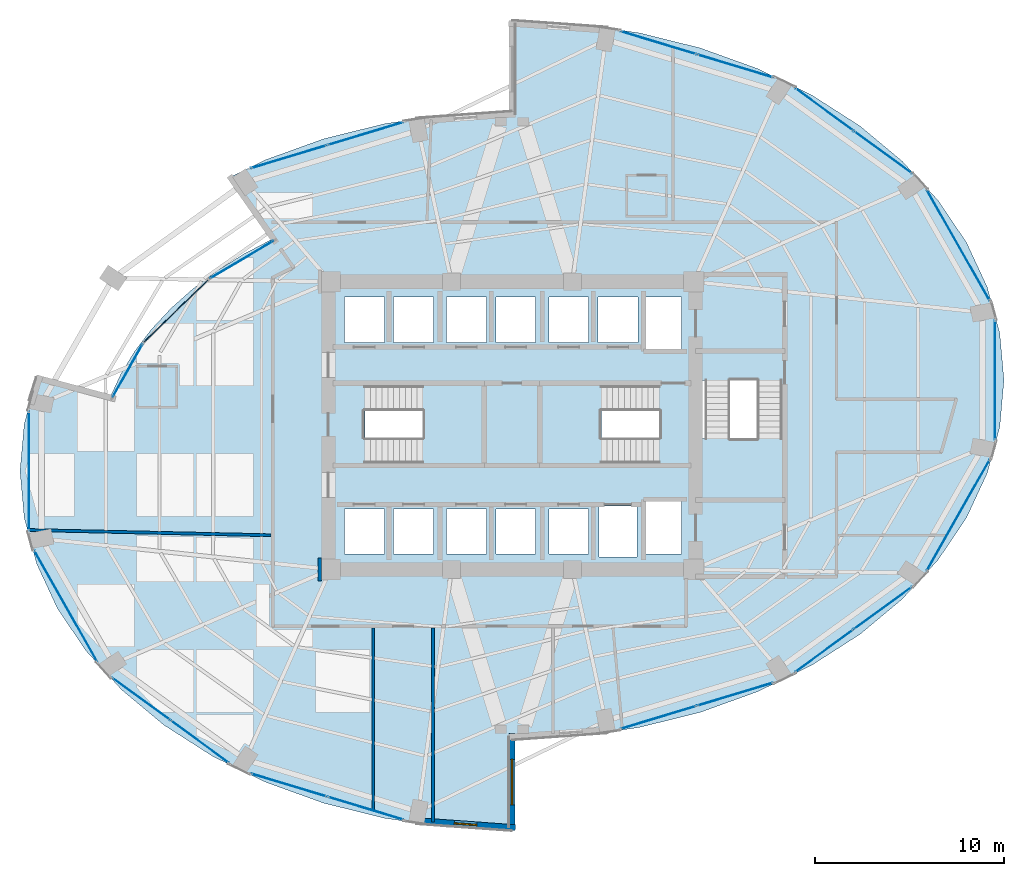
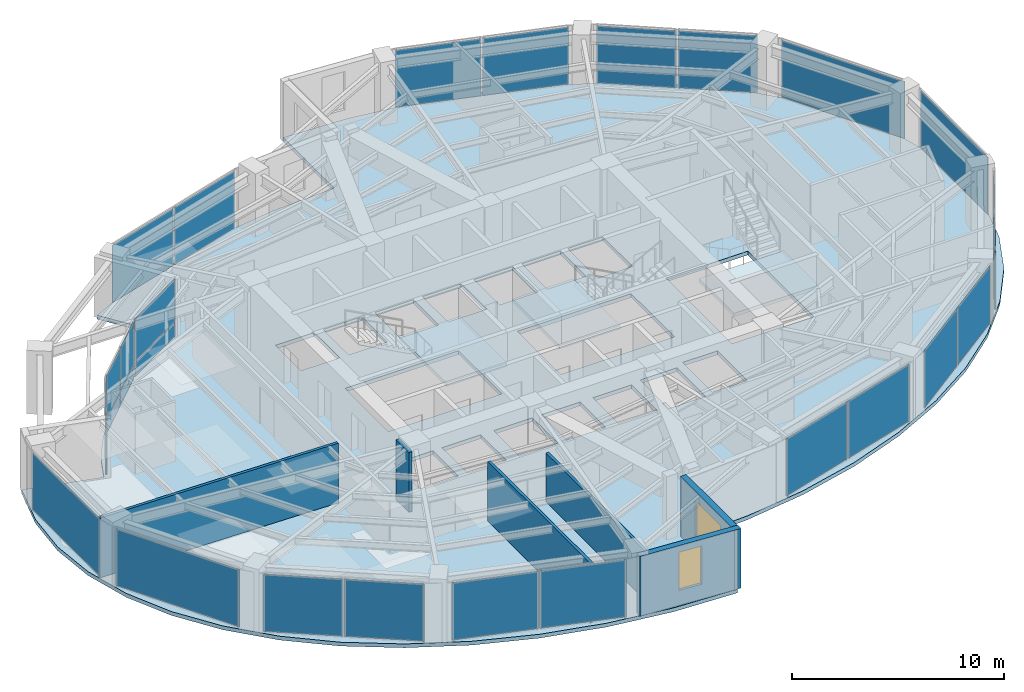
# One storey, part 19 of 24: 27 plates, 6 walls, 4 slabs, 2 windows, 2 openings, 18 elements without a shape of their own.
"""IFC4 building model written with IfcOpenShell, lengths in metres."""

from ifc_helpers import new_model, si_unit, direction, frame, frame_2d, origin, origin_2d, place, context, subcontext, project, spatial, polyline, rectangle, outline, extrude, material, layer, layer_set, type_object, element, fill, aggregate, save


model = new_model("IFC4")

# Units and contexts
model_context = context("Model", 3, precision=1e-05, world=origin(), true_north=direction((0.0, 1.0)))
body_context = subcontext(model_context, "Body", "Model", "MODEL_VIEW")
ifc_project = project(units=[si_unit("LENGTHUNIT", "METRE"), si_unit("AREAUNIT", "SQUARE_METRE"), si_unit("VOLUMEUNIT", "CUBIC_METRE"), si_unit("PLANEANGLEUNIT", "RADIAN"), si_unit("MASSUNIT", "GRAM", prefix="KILO")], contexts=[model_context])

# Site, building, storey
site_placement = place(None, origin())
site = spatial("IfcSite", under=ifc_project, at=site_placement, CompositionType="ELEMENT")
building_placement = place(site_placement, origin())
building = spatial("IfcBuilding", under=site, at=building_placement, Name="Lazwardi Medical Tower", CompositionType="ELEMENT")
storey_placement = place(building_placement, frame((0.0, 0.0, 118.22412109375)))
storey = spatial("IfcBuildingStorey", under=building, at=storey_placement, Name="L30", CompositionType="ELEMENT", Elevation=118.22412109375)

# Curtain wall, plates
ifc_material_1 = material(Name="Anodised bronze aluminium and solar control glazing", Category="aluminium")
ifc_layer_1 = layer(ifc_material_1, 0.195068359375)
ifc_layer_set_1 = layer_set([ifc_layer_1], Name="Anodised bronze aluminium and solar control glazing")
curtain_wall_type_1 = type_object("IfcCurtainWallType", Name="CW-SYS-03", PredefinedType="NOTDEFINED", material=ifc_layer_set_1)
curtain_wall_1_placement = place(storey_placement, origin())
curtain_wall_1 = element("IfcCurtainWall", 1, at=curtain_wall_1_placement, inside=storey, type_object=curtain_wall_type_1, Name="L30 Unitised bronze curtain wall CW-03", PredefinedType="NOTDEFINED")
ifc_material_2 = material(Name="Low-e bronze solar control double glazing", Category="glass")
ifc_layer_2 = layer(ifc_material_2, 0.035888671875)
ifc_layer_set_2 = layer_set([ifc_layer_2], Name="Low-e bronze solar control double glazing")
plate_type_1 = type_object("IfcPlateType", Name="PLT-GLZ-01", PredefinedType="CURTAIN_PANEL", material=ifc_layer_set_2)
plate_1_placement = place(storey_placement, frame((43.73974609375, 12.573486328125, 0.07470703125), z_axis=(0.0, 0.0, 1.0), x_axis=(0.957216170558, 0.28937381157, 0.0)))
plate_1 = element("IfcPlate", 2, at=plate_1_placement, type_object=plate_type_1, Name="CW-03 panel 1.1", PredefinedType="CURTAIN_PANEL", context=body_context, shape_type="SweptSolid", body=[
    extrude(rectangle(XDim=4.16552734375, YDim=0.035888671875, at=origin_2d()), origin(), (0.0, 0.0, 1.0), 3.278076171875),
])
plate_2_placement = place(storey_placement, frame((47.798828125, 13.800537109375, 0.07470703125), z_axis=(0.0, 0.0, 1.0), x_axis=(0.957216170558, 0.28937381157, 0.0)))
plate_2 = element("IfcPlate", 3, at=plate_2_placement, type_object=plate_type_1, Name="CW-03 panel 2.1", PredefinedType="CURTAIN_PANEL", context=body_context, shape_type="SweptSolid", body=[
    extrude(rectangle(XDim=4.16552734375, YDim=0.035888671875, at=origin_2d()), origin(), (0.0, 0.0, 1.0), 3.278076171875),
])
aggregate(curtain_wall_1, [plate_1, plate_2])

curtain_wall_2_placement = place(storey_placement, origin())
curtain_wall_2 = element("IfcCurtainWall", 4, at=curtain_wall_2_placement, inside=storey, type_object=curtain_wall_type_1, Name="L30 Unitised bronze curtain wall CW-03", PredefinedType="NOTDEFINED")
plate_3_placement = place(storey_placement, frame((52.4990234375, 16.093017578125, 0.07470703125), z_axis=(0.0, 0.0, 1.0), x_axis=(0.807745837639, 0.589530882802, 0.0)))
plate_3 = element("IfcPlate", 5, at=plate_3_placement, type_object=plate_type_1, Name="CW-03 panel 1.1", PredefinedType="CURTAIN_PANEL", context=body_context, shape_type="SweptSolid", body=[
    extrude(rectangle(XDim=3.767578125, YDim=0.035888671875, at=origin_2d()), origin(), (0.0, 0.0, 1.0), 3.278076171875),
])
plate_4_placement = place(storey_placement, frame((55.60302734375, 18.3583984375, 0.07470703125), z_axis=(0.0, 0.0, 1.0), x_axis=(0.807745837639, 0.589530882802, 0.0)))
plate_4 = element("IfcPlate", 6, at=plate_4_placement, type_object=plate_type_1, Name="CW-03 panel 2.1", PredefinedType="CURTAIN_PANEL", context=body_context, shape_type="SweptSolid", body=[
    extrude(rectangle(XDim=3.767578125, YDim=0.035888671875, at=origin_2d()), origin(), (0.0, 0.0, 1.0), 3.278076171875),
])
aggregate(curtain_wall_2, [plate_3, plate_4])

# Curtain wall, plate
curtain_wall_3_placement = place(storey_placement, origin())
curtain_wall_3 = element("IfcCurtainWall", 7, at=curtain_wall_3_placement, inside=storey, type_object=curtain_wall_type_1, Name="L30 Unitised bronze curtain wall CW-03", PredefinedType="NOTDEFINED")
plate_5_placement = place(storey_placement, frame((59.5849609375, 23.270263671875, 0.07470703125), z_axis=(0.0, 0.0, 1.0), x_axis=(0.493603140041, 0.869687265712, 0.0)))
plate_5 = element("IfcPlate", 8, at=plate_5_placement, type_object=plate_type_1, Name="CW-03 panel 1.1", PredefinedType="CURTAIN_PANEL", context=body_context, shape_type="SweptSolid", body=[
    extrude(rectangle(XDim=6.722900390625, YDim=0.035888671875, at=origin_2d()), origin(), (0.0, 0.0, 1.0), 3.278076171875),
])
aggregate(curtain_wall_3, [plate_5])

curtain_wall_4_placement = place(storey_placement, origin())
curtain_wall_4 = element("IfcCurtainWall", 9, at=curtain_wall_4_placement, inside=storey, type_object=curtain_wall_type_1, Name="L30 Unitised bronze curtain wall CW-03", PredefinedType="NOTDEFINED")
plate_6_placement = place(storey_placement, frame((61.528076171875, 30.39990234375, 0.07470703125), z_axis=(0.0, 0.0, 1.0), x_axis=(0.0, 1.0, 0.0)))
plate_6 = element("IfcPlate", 10, at=plate_6_placement, type_object=plate_type_1, Name="CW-03 panel 1.1", PredefinedType="CURTAIN_PANEL", context=body_context, shape_type="SweptSolid", body=[
    extrude(rectangle(XDim=6.31982421875, YDim=0.035888671875, at=origin_2d()), origin(), (0.0, 0.0, 1.0), 3.278076171875),
])
aggregate(curtain_wall_4, [plate_6])

curtain_wall_5_placement = place(storey_placement, origin())
curtain_wall_5 = element("IfcCurtainWall", 11, at=curtain_wall_5_placement, inside=storey, type_object=curtain_wall_type_1, Name="L30 Unitised bronze curtain wall CW-03", PredefinedType="NOTDEFINED")
plate_7_placement = place(storey_placement, frame((59.5849609375, 37.52978515625, 0.07470703125), z_axis=(0.0, 0.0, 1.0), x_axis=(-0.493603140041, 0.869687265712, 0.0)))
plate_7 = element("IfcPlate", 12, at=plate_7_placement, type_object=plate_type_1, Name="CW-03 panel 1.1", PredefinedType="CURTAIN_PANEL", context=body_context, shape_type="SweptSolid", body=[
    extrude(rectangle(XDim=6.722900390625, YDim=0.035888671875, at=origin_2d()), origin(), (0.0, 0.0, 1.0), 3.278076171875),
])
aggregate(curtain_wall_5, [plate_7])

# Curtain wall, plates
curtain_wall_6_placement = place(storey_placement, origin())
curtain_wall_6 = element("IfcCurtainWall", 13, at=curtain_wall_6_placement, inside=storey, type_object=curtain_wall_type_1, Name="L30 Unitised bronze curtain wall CW-03", PredefinedType="NOTDEFINED")
plate_8_placement = place(storey_placement, frame((55.60302734375, 42.441650390625, 0.07470703125), z_axis=(0.0, 0.0, 1.0), x_axis=(-0.807745837639, 0.589530882802, 0.0)))
plate_8 = element("IfcPlate", 14, at=plate_8_placement, type_object=plate_type_1, Name="CW-03 panel 1.1", PredefinedType="CURTAIN_PANEL", context=body_context, shape_type="SweptSolid", body=[
    extrude(rectangle(XDim=3.767578125, YDim=0.035888671875, at=origin_2d()), origin(), (0.0, 0.0, 1.0), 3.278076171875),
])
plate_9_placement = place(storey_placement, frame((52.4990234375, 44.70703125, 0.07470703125), z_axis=(0.0, 0.0, 1.0), x_axis=(-0.807745837639, 0.589530882802, 0.0)))
plate_9 = element("IfcPlate", 15, at=plate_9_placement, type_object=plate_type_1, Name="CW-03 panel 2.1", PredefinedType="CURTAIN_PANEL", context=body_context, shape_type="SweptSolid", body=[
    extrude(rectangle(XDim=3.767578125, YDim=0.035888671875, at=origin_2d()), origin(), (0.0, 0.0, 1.0), 3.278076171875),
])
aggregate(curtain_wall_6, [plate_8, plate_9])

curtain_wall_7_placement = place(storey_placement, origin())
curtain_wall_7 = element("IfcCurtainWall", 16, at=curtain_wall_7_placement, inside=storey, type_object=curtain_wall_type_1, Name="L30 Unitised bronze curtain wall CW-03", PredefinedType="NOTDEFINED")
plate_10_placement = place(storey_placement, frame((47.798828125, 46.99951171875, 0.07470703125), z_axis=(0.0, 0.0, 1.0), x_axis=(-0.957216170558, 0.28937381157, 0.0)))
plate_10 = element("IfcPlate", 17, at=plate_10_placement, type_object=plate_type_1, Name="CW-03 panel 1.1", PredefinedType="CURTAIN_PANEL", context=body_context, shape_type="SweptSolid", body=[
    extrude(rectangle(XDim=4.16552734375, YDim=0.035888671875, at=origin_2d()), origin(), (0.0, 0.0, 1.0), 3.278076171875),
])
plate_11_placement = place(storey_placement, frame((43.73974609375, 48.2265625, 0.07470703125), z_axis=(0.0, 0.0, 1.0), x_axis=(-0.957216170558, 0.28937381157, 0.0)))
plate_11 = element("IfcPlate", 18, at=plate_11_placement, type_object=plate_type_1, Name="CW-03 panel 2.1", PredefinedType="CURTAIN_PANEL", context=body_context, shape_type="SweptSolid", body=[
    extrude(rectangle(XDim=4.16552734375, YDim=0.035888671875, at=origin_2d()), origin(), (0.0, 0.0, 1.0), 3.278076171875),
])
aggregate(curtain_wall_7, [plate_10, plate_11])

curtain_wall_8_placement = place(storey_placement, origin())
curtain_wall_8 = element("IfcCurtainWall", 19, at=curtain_wall_8_placement, inside=storey, type_object=curtain_wall_type_1, Name="L30 Unitised bronze curtain wall CW-03", PredefinedType="NOTDEFINED")
plate_12_placement = place(storey_placement, frame((28.26025390625, 43.426513671875, 0.07470703125), z_axis=(0.0, 0.0, 1.0), x_axis=(-0.957216170558, -0.28937381157, 0.0)))
plate_12 = element("IfcPlate", 20, at=plate_12_placement, type_object=plate_type_1, Name="CW-03 panel 1.1", PredefinedType="CURTAIN_PANEL", context=body_context, shape_type="SweptSolid", body=[
    extrude(rectangle(XDim=4.16552734375, YDim=0.035888671875, at=origin_2d()), origin(), (0.0, 0.0, 1.0), 3.278076171875),
])
plate_13_placement = place(storey_placement, frame((24.201171875, 42.199462890625, 0.07470703125), z_axis=(0.0, 0.0, 1.0), x_axis=(-0.957216170558, -0.28937381157, 0.0)))
plate_13 = element("IfcPlate", 21, at=plate_13_placement, type_object=plate_type_1, Name="CW-03 panel 2.1", PredefinedType="CURTAIN_PANEL", context=body_context, shape_type="SweptSolid", body=[
    extrude(rectangle(XDim=4.16552734375, YDim=0.035888671875, at=origin_2d()), origin(), (0.0, 0.0, 1.0), 3.278076171875),
])
aggregate(curtain_wall_8, [plate_12, plate_13])

# Curtain wall, plate
curtain_wall_9_placement = place(storey_placement, origin())
curtain_wall_9 = element("IfcCurtainWall", 22, at=curtain_wall_9_placement, inside=storey, type_object=curtain_wall_type_1, Name="L30 Unitised bronze curtain wall CW-03", PredefinedType="NOTDEFINED")
plate_14_placement = place(storey_placement, frame((10.471923828125, 25.60009765625, 0.07470703125), z_axis=(0.0, 0.0, 1.0), x_axis=(0.0, -1.0, 0.0)))
plate_14 = element("IfcPlate", 23, at=plate_14_placement, type_object=plate_type_1, Name="CW-03 panel 1.1", PredefinedType="CURTAIN_PANEL", context=body_context, shape_type="SweptSolid", body=[
    extrude(rectangle(XDim=6.31982421875, YDim=0.035888671875, at=origin_2d()), origin(), (0.0, 0.0, 1.0), 3.278076171875),
])
aggregate(curtain_wall_9, [plate_14])

curtain_wall_10_placement = place(storey_placement, origin())
curtain_wall_10 = element("IfcCurtainWall", 24, at=curtain_wall_10_placement, inside=storey, type_object=curtain_wall_type_1, Name="L30 Unitised bronze curtain wall CW-03", PredefinedType="NOTDEFINED")
plate_15_placement = place(storey_placement, frame((12.4150390625, 18.47021484375, 0.07470703125), z_axis=(0.0, 0.0, 1.0), x_axis=(0.493603140041, -0.869687265712, 0.0)))
plate_15 = element("IfcPlate", 25, at=plate_15_placement, type_object=plate_type_1, Name="CW-03 panel 1.1", PredefinedType="CURTAIN_PANEL", context=body_context, shape_type="SweptSolid", body=[
    extrude(rectangle(XDim=6.722900390625, YDim=0.035888671875, at=origin_2d()), origin(), (0.0, 0.0, 1.0), 3.278076171875),
])
aggregate(curtain_wall_10, [plate_15])

# Curtain wall, plates
curtain_wall_11_placement = place(storey_placement, origin())
curtain_wall_11 = element("IfcCurtainWall", 26, at=curtain_wall_11_placement, inside=storey, type_object=curtain_wall_type_1, Name="L30 Unitised bronze curtain wall CW-03", PredefinedType="NOTDEFINED")
plate_16_placement = place(storey_placement, frame((16.39697265625, 13.558349609375, 0.07470703125), z_axis=(0.0, 0.0, 1.0), x_axis=(0.807745837639, -0.589530882802, 0.0)))
plate_16 = element("IfcPlate", 27, at=plate_16_placement, type_object=plate_type_1, Name="CW-03 panel 1.1", PredefinedType="CURTAIN_PANEL", context=body_context, shape_type="SweptSolid", body=[
    extrude(rectangle(XDim=3.767578125, YDim=0.035888671875, at=origin_2d()), origin(), (0.0, 0.0, 1.0), 3.278076171875),
])
plate_17_placement = place(storey_placement, frame((19.5009765625, 11.29296875, 0.07470703125), z_axis=(0.0, 0.0, 1.0), x_axis=(0.807745837639, -0.589530882802, 0.0)))
plate_17 = element("IfcPlate", 28, at=plate_17_placement, type_object=plate_type_1, Name="CW-03 panel 2.1", PredefinedType="CURTAIN_PANEL", context=body_context, shape_type="SweptSolid", body=[
    extrude(rectangle(XDim=3.767578125, YDim=0.035888671875, at=origin_2d()), origin(), (0.0, 0.0, 1.0), 3.278076171875),
])
aggregate(curtain_wall_11, [plate_16, plate_17])

curtain_wall_12_placement = place(storey_placement, origin())
curtain_wall_12 = element("IfcCurtainWall", 29, at=curtain_wall_12_placement, inside=storey, type_object=curtain_wall_type_1, Name="L30 Unitised bronze curtain wall CW-03", PredefinedType="NOTDEFINED")
plate_18_placement = place(storey_placement, frame((24.201171875, 9.00048828125, 0.07470703125), z_axis=(0.0, 0.0, 1.0), x_axis=(0.957216170558, -0.28937381157, 0.0)))
plate_18 = element("IfcPlate", 30, at=plate_18_placement, type_object=plate_type_1, Name="CW-03 panel 1.1", PredefinedType="CURTAIN_PANEL", context=body_context, shape_type="SweptSolid", body=[
    extrude(rectangle(XDim=4.16552734375, YDim=0.035888671875, at=origin_2d()), origin(), (0.0, 0.0, 1.0), 3.278076171875),
])
plate_19_placement = place(storey_placement, frame((28.26025390625, 7.7734375, 0.07470703125), z_axis=(0.0, 0.0, 1.0), x_axis=(0.957216170558, -0.28937381157, 0.0)))
plate_19 = element("IfcPlate", 31, at=plate_19_placement, type_object=plate_type_1, Name="CW-03 panel 2.1", PredefinedType="CURTAIN_PANEL", context=body_context, shape_type="SweptSolid", body=[
    extrude(rectangle(XDim=4.16552734375, YDim=0.035888671875, at=origin_2d()), origin(), (0.0, 0.0, 1.0), 3.278076171875),
])
aggregate(curtain_wall_12, [plate_18, plate_19])

ifc_layer_3 = layer(ifc_material_1, 0.239990234375)
ifc_layer_set_3 = layer_set([ifc_layer_3], Name="Anodised bronze aluminium and solar control glazing")
curtain_wall_type_2 = type_object("IfcCurtainWallType", Name="CW-SYS-05", PredefinedType="NOTDEFINED", material=ifc_layer_set_3)
curtain_wall_13_placement = place(storey_placement, origin())
curtain_wall_13 = element("IfcCurtainWall", 32, at=curtain_wall_13_placement, inside=storey, type_object=curtain_wall_type_2, Name="L30 Unitised bronze curtain wall CW-05", PredefinedType="NOTDEFINED")
ifc_material_3 = material(Name="Laminated acoustic bronze double glazing", Category="glass")
ifc_layer_4 = layer(ifc_material_3, 0.0419921875)
ifc_layer_set_4 = layer_set([ifc_layer_4], Name="Laminated acoustic bronze double glazing")
plate_type_2 = type_object("IfcPlateType", Name="PLT-GLZ-02", PredefinedType="CURTAIN_PANEL", material=ifc_layer_set_4)
plate_20_placement = place(storey_placement, frame((21.72412109375, 36.7685546875, 0.0849609375), z_axis=(0.0, 0.0, 1.0), x_axis=(-0.860814811095, -0.508918324488, 0.0)))
plate_20 = element("IfcPlate", 33, at=plate_20_placement, type_object=plate_type_2, Name="CW-05 panel 1.1", PredefinedType="CURTAIN_PANEL", context=body_context, shape_type="SweptSolid", body=[
    extrude(rectangle(XDim=3.84033203125, YDim=0.0419921875, at=origin_2d()), origin(), (0.0, 0.0, 1.0), 0.7724609375),
])
plate_21_placement = place(storey_placement, frame((21.72412109375, 36.7685546875, 0.9423828125), z_axis=(0.0, 0.0, 1.0), x_axis=(-0.860814811095, -0.508918324488, 0.0)))
plate_21 = element("IfcPlate", 34, at=plate_21_placement, type_object=plate_type_2, Name="CW-05 panel 1.2", PredefinedType="CURTAIN_PANEL", context=body_context, shape_type="SweptSolid", body=[
    extrude(rectangle(XDim=3.84033203125, YDim=0.0419921875, at=origin_2d()), origin(), (0.0, 0.0, 1.0), 2.400390625),
])
aggregate(curtain_wall_13, [plate_20, plate_21])

curtain_wall_14_placement = place(storey_placement, origin())
curtain_wall_14 = element("IfcCurtainWall", 35, at=curtain_wall_14_placement, inside=storey, type_object=curtain_wall_type_2, Name="L30 Unitised bronze curtain wall CW-05", PredefinedType="NOTDEFINED")
plate_22_placement = place(storey_placement, frame((15.68505859375, 30.9033203125, 0.0849609375), z_axis=(0.0, 0.0, 1.0), x_axis=(-0.491556224341, -0.870845840727, 0.0)))
plate_22 = element("IfcPlate", 36, at=plate_22_placement, type_object=plate_type_2, Name="CW-05 panel 1.1", PredefinedType="CURTAIN_PANEL", context=body_context, shape_type="SweptSolid", body=[
    extrude(rectangle(XDim=3.1650390625, YDim=0.0419921875, at=origin_2d()), origin(), (0.0, 0.0, 1.0), 0.7724609375),
])
plate_23_placement = place(storey_placement, frame((15.68505859375, 30.9033203125, 0.9423828125), z_axis=(0.0, 0.0, 1.0), x_axis=(-0.491556224341, -0.870845840727, 0.0)))
plate_23 = element("IfcPlate", 37, at=plate_23_placement, type_object=plate_type_2, Name="CW-05 panel 1.2", PredefinedType="CURTAIN_PANEL", context=body_context, shape_type="SweptSolid", body=[
    extrude(rectangle(XDim=3.1650390625, YDim=0.0419921875, at=origin_2d()), origin(), (0.0, 0.0, 1.0), 2.400390625),
])
aggregate(curtain_wall_14, [plate_22, plate_23])

curtain_wall_15_placement = place(storey_placement, origin())
curtain_wall_15 = element("IfcCurtainWall", 38, at=curtain_wall_15_placement, inside=storey, type_object=curtain_wall_type_2, Name="L30 Unitised bronze curtain wall CW-05", PredefinedType="NOTDEFINED")
plate_24_placement = place(storey_placement, frame((19.109375, 34.885009765625, 0.0849609375), z_axis=(0.0, 0.0, 1.0), x_axis=(-0.717350635147, -0.696712326756, 0.0)))
plate_24 = element("IfcPlate", 39, at=plate_24_placement, type_object=plate_type_2, Name="CW-05 panel 1.1", PredefinedType="CURTAIN_PANEL", context=body_context, shape_type="SweptSolid", body=[
    extrude(rectangle(XDim=2.307373046875, YDim=0.0419921875, at=origin_2d()), origin(), (0.0, 0.0, 1.0), 0.7724609375),
])
plate_25_placement = place(storey_placement, frame((19.109375, 34.885009765625, 0.9423828125), z_axis=(0.0, 0.0, 1.0), x_axis=(-0.717350635147, -0.696712326756, 0.0)))
plate_25 = element("IfcPlate", 40, at=plate_25_placement, type_object=plate_type_2, Name="CW-05 panel 1.2", PredefinedType="CURTAIN_PANEL", context=body_context, shape_type="SweptSolid", body=[
    extrude(rectangle(XDim=2.307373046875, YDim=0.0419921875, at=origin_2d()), origin(), (0.0, 0.0, 1.0), 2.400390625),
])
plate_26_placement = place(storey_placement, frame((17.393310546875, 33.21826171875, 0.0849609375), z_axis=(0.0, 0.0, 1.0), x_axis=(-0.717350635147, -0.696712326756, 0.0)))
plate_26 = element("IfcPlate", 41, at=plate_26_placement, type_object=plate_type_2, Name="CW-05 panel 2.1", PredefinedType="CURTAIN_PANEL", context=body_context, shape_type="SweptSolid", body=[
    extrude(rectangle(XDim=2.307373046875, YDim=0.0419921875, at=origin_2d()), origin(), (0.0, 0.0, 1.0), 0.7724609375),
])
plate_27_placement = place(storey_placement, frame((17.393310546875, 33.21826171875, 0.9423828125), z_axis=(0.0, 0.0, 1.0), x_axis=(-0.717350635147, -0.696712326756, 0.0)))
plate_27 = element("IfcPlate", 42, at=plate_27_placement, type_object=plate_type_2, Name="CW-05 panel 2.2", PredefinedType="CURTAIN_PANEL", context=body_context, shape_type="SweptSolid", body=[
    extrude(rectangle(XDim=2.307373046875, YDim=0.0419921875, at=origin_2d()), origin(), (0.0, 0.0, 1.0), 2.400390625),
])
aggregate(curtain_wall_15, [plate_24, plate_25, plate_26, plate_27])

# Stair, slab
ifc_material_4 = material(Name="Concrete C45/55", Category="concrete")
stair_type = type_object("IfcStairType", Name="STR-WRD", PredefinedType="HALF_TURN_STAIR", material=ifc_material_4)
stair_1_placement = place(storey_placement, origin())
stair_1 = element("IfcStair", 43, at=stair_1_placement, inside=storey, type_object=stair_type, Name="L30 Protected Exit Stair ST1", PredefinedType="HALF_TURN_STAIR")
ifc_layer_5 = layer(ifc_material_4, 0.199951171875)
ifc_layer_set_5 = layer_set([ifc_layer_5], Name="Concrete C45/55")
slab_type_1 = type_object("IfcSlabType", Name="SLB-LND-190", PredefinedType="LANDING", material=ifc_layer_set_5)
slab_1_placement = place(storey_placement, frame((0.0, 0.0, 1.623779296875)))
slab_1 = element("IfcSlab", 44, at=slab_1_placement, type_object=slab_type_1, Name="ST1 landing 1", PredefinedType="LANDING", context=body_context, shape_type="SweptSolid", body=[
    extrude(outline(polyline([(31.27490234375, 25.840087890625), (34.580078125, 25.840087890625), (34.580078125, 30.280029296875), (31.27490234375, 30.280029296875), (31.27490234375, 25.840087890625)])), origin(), (0.0, 0.0, 1.0), 0.2001953125),
])
aggregate(stair_1, [slab_1])

stair_2_placement = place(storey_placement, origin())
stair_2 = element("IfcStair", 45, at=stair_2_placement, inside=storey, type_object=stair_type, Name="L30 Protected Exit Stair ST2", PredefinedType="HALF_TURN_STAIR")
slab_2_placement = place(storey_placement, frame((0.0, 0.0, 1.623779296875)))
slab_2 = element("IfcSlab", 46, at=slab_2_placement, type_object=slab_type_1, Name="ST2 landing 1", PredefinedType="LANDING", context=body_context, shape_type="SweptSolid", body=[
    extrude(outline(polyline([(40.72509765625, 30.280029296875), (37.419921875, 30.280029296875), (37.419921875, 25.840087890625), (40.72509765625, 25.840087890625), (40.72509765625, 30.280029296875)])), origin(), (0.0, 0.0, 1.0), 0.2001953125),
])
aggregate(stair_2, [slab_2])

stair_3_placement = place(storey_placement, origin())
stair_3 = element("IfcStair", 47, at=stair_3_placement, inside=storey, type_object=stair_type, Name="L30 Protected Exit Stair ST3", PredefinedType="HALF_TURN_STAIR")
slab_3_placement = place(storey_placement, frame((0.0, 0.0, 1.623779296875)))
slab_3 = element("IfcSlab", 48, at=slab_3_placement, type_object=slab_type_1, Name="ST3 landing 1", PredefinedType="LANDING", context=body_context, shape_type="SweptSolid", body=[
    extrude(outline(polyline([(45.860107421875, 27.324951171875), (45.860107421875, 24.02001953125), (50.4599609375, 24.02001953125), (50.4599609375, 27.324951171875), (45.860107421875, 27.324951171875)])), origin(), (0.0, 0.0, 1.0), 0.2001953125),
])
aggregate(stair_3, [slab_3])

# Slab
ifc_material_5 = material(Name="Concrete C50/60", Category="concrete")
ifc_layer_6 = layer(ifc_material_5, 0.219970703125)
ifc_layer_set_6 = layer_set([ifc_layer_6], Name="Concrete C50/60")
slab_type_2 = type_object("IfcSlabType", Name="SLB-WRD-220", PredefinedType="FLOOR", material=ifc_layer_set_6)
slab_4_placement = place(storey_placement, frame((0.0, 0.0, -0.22021484375)))
element("IfcSlab", 49, at=slab_4_placement, inside=storey, type_object=slab_type_2, Name="Structural floor slab SF-03 L30", PredefinedType="FLOOR", context=body_context, shape_type="SweptSolid", body=[
    extrude(outline(polyline([(61.777587890625, 32.8798828125), (61.114013671875, 35.317626953125), (60.02099609375, 37.6708984375), (58.5166015625, 39.89990234375), (56.627197265625, 41.966552734375), (54.384765625, 43.8349609375), (51.827880859375, 45.4736328125), (49.0, 46.8544921875), (45.94970703125, 47.95361328125), (42.729248046875, 48.752685546875), (39.393798828125, 49.237548828125), (36.0, 49.39990234375), (36.0, 44.60009765625), (32.606201171875, 44.4375), (29.270751953125, 43.95263671875), (26.05029296875, 43.15380859375), (23.0, 42.054443359375), (21.1142578125, 41.1337890625), (23.385498046875, 37.89013671875), (23.3857421875, 37.8896484375), (23.385986328125, 37.889404296875), (23.385986328125, 37.888916015625), (23.38623046875, 37.88818359375), (23.38623046875, 37.887939453125), (23.38623046875, 37.887451171875), (23.38623046875, 37.886962890625), (23.38623046875, 37.886474609375), (23.385986328125, 37.885986328125), (23.385986328125, 37.885498046875), (23.3857421875, 37.885009765625), (23.385498046875, 37.884521484375), (23.38525390625, 37.884033203125), (23.384765625, 37.8837890625), (23.384521484375, 37.88330078125), (23.384033203125, 37.883056640625), (23.383544921875, 37.8828125), (21.861083984375, 37.08642578125), (20.446533203125, 36.202392578125), (19.150146484375, 35.23779296875), (17.982177734375, 34.199951171875), (16.951171875, 33.0966796875), (16.065185546875, 31.9365234375), (15.331298828125, 30.727783203125), (14.754150390625, 29.480224609375), (14.75390625, 29.479736328125), (14.753662109375, 29.479248046875), (14.75341796875, 29.47900390625), (14.7529296875, 29.478515625), (14.752685546875, 29.478271484375), (14.752197265625, 29.47802734375), (14.751708984375, 29.477783203125), (14.751220703125, 29.4775390625), (14.750732421875, 29.477294921875), (14.750244140625, 29.477294921875), (14.749755859375, 29.477294921875), (14.749267578125, 29.477294921875), (14.748779296875, 29.477294921875), (14.748291015625, 29.4775390625), (10.884521484375, 30.5126953125), (10.884521484375, 30.5126953125), (10.222412109375, 28.080078125), (10.0, 25.60009765625), (10.222412109375, 23.1201171875), (10.885986328125, 20.682373046875), (11.97900390625, 18.3291015625), (13.4833984375, 16.10009765625), (15.372802734375, 14.033447265625), (17.615234375, 12.1650390625), (20.172119140625, 10.5263671875), (23.0, 9.1455078125), (26.05029296875, 8.04638671875), (29.270751953125, 7.247314453125), (32.606201171875, 6.762451171875), (36.0, 6.60009765625), (36.0, 11.39990234375), (39.393798828125, 11.5625), (42.729248046875, 12.04736328125), (45.94970703125, 12.84619140625), (49.0, 13.945556640625), (51.827880859375, 15.326416015625), (54.384765625, 16.965087890625), (56.627197265625, 18.83349609375), (58.5166015625, 20.89990234375), (60.02099609375, 23.12890625), (61.114013671875, 25.482421875), (61.777587890625, 27.919921875), (62.0, 30.39990234375), (61.777587890625, 32.8798828125)]), holes=[polyline([(28.22509765625, 26.02001953125), (28.22509765625, 30.10009765625), (34.39990234375, 30.10009765625), (34.39990234375, 26.02001953125), (28.22509765625, 26.02001953125)]), polyline([(37.60009765625, 30.10009765625), (43.77490234375, 30.10009765625), (43.77490234375, 26.02001953125), (37.60009765625, 26.02001953125), (37.60009765625, 30.10009765625)]), polyline([(50.280029296875, 30.375), (50.280029296875, 24.179931640625), (45.840087890625, 24.179931640625), (45.840087890625, 30.375), (50.280029296875, 30.375)]), polyline([(29.25, 32.39990234375), (27.14990234375, 32.39990234375), (27.14990234375, 34.800048828125), (29.25, 34.800048828125), (29.25, 32.39990234375)]), polyline([(29.75, 32.39990234375), (29.75, 34.800048828125), (31.85009765625, 34.800048828125), (31.85009765625, 32.39990234375), (29.75, 32.39990234375)]), polyline([(27.14990234375, 23.60009765625), (29.25, 23.60009765625), (29.25, 21.199951171875), (27.14990234375, 21.199951171875), (27.14990234375, 23.60009765625)]), polyline([(31.85009765625, 23.60009765625), (31.85009765625, 21.199951171875), (29.75, 21.199951171875), (29.75, 23.60009765625), (31.85009765625, 23.60009765625)]), polyline([(34.64990234375, 32.39990234375), (32.550048828125, 32.39990234375), (32.550048828125, 34.800048828125), (34.64990234375, 34.800048828125), (34.64990234375, 32.39990234375)]), polyline([(35.14990234375, 32.39990234375), (35.14990234375, 34.800048828125), (37.25, 34.800048828125), (37.25, 32.39990234375), (35.14990234375, 32.39990234375)]), polyline([(32.550048828125, 23.60009765625), (34.64990234375, 23.60009765625), (34.64990234375, 21.199951171875), (32.550048828125, 21.199951171875), (32.550048828125, 23.60009765625)]), polyline([(37.25, 23.60009765625), (37.25, 21.199951171875), (35.14990234375, 21.199951171875), (35.14990234375, 23.60009765625), (37.25, 23.60009765625)]), polyline([(40.050048828125, 32.39990234375), (37.949951171875, 32.39990234375), (37.949951171875, 34.800048828125), (40.050048828125, 34.800048828125), (40.050048828125, 32.39990234375)]), polyline([(40.550048828125, 32.39990234375), (40.550048828125, 34.800048828125), (42.64990234375, 34.800048828125), (42.64990234375, 32.39990234375), (40.550048828125, 32.39990234375)]), polyline([(37.949951171875, 23.60009765625), (40.050048828125, 23.60009765625), (40.050048828125, 21.199951171875), (37.949951171875, 21.199951171875), (37.949951171875, 23.60009765625)]), polyline([(44.949951171875, 34.800048828125), (44.949951171875, 32.0), (43.050048828125, 32.0), (43.050048828125, 34.800048828125), (44.949951171875, 34.800048828125)]), polyline([(44.949951171875, 21.199951171875), (43.050048828125, 21.199951171875), (43.050048828125, 24.0), (44.949951171875, 24.0), (44.949951171875, 21.199951171875)]), polyline([(40.60009765625, 21.050048828125), (40.60009765625, 23.75), (42.60009765625, 23.75), (42.60009765625, 21.050048828125), (40.60009765625, 21.050048828125)])]), origin(), (0.0, 0.0, 1.0), 0.22021484375),
])

# Wall
ifc_material_6 = material(Name="Fire-rated gypsum board on steel stud", Category="steel")
ifc_layer_7 = layer(ifc_material_6, 0.179931640625)
ifc_layer_set_7 = layer_set([ifc_layer_7], Name="Fire-rated gypsum board on steel stud")
wall_type_1 = type_object("IfcWallType", Name="WL-COR-180", PredefinedType="PARTITIONING", material=ifc_layer_set_7)
wall_1_placement = place(storey_placement, frame((25.830078125, 21.010009765625, 0.0), z_axis=(0.0, 0.0, 1.0), x_axis=(0.0, -1.0, 0.0)))
element("IfcWall", 50, at=wall_1_placement, inside=storey, type_object=wall_type_1, Name="L30 Corridor partition 12", PredefinedType="PARTITIONING", context=body_context, shape_type="SweptSolid", body=[
    extrude(rectangle(XDim=1.219970703125, YDim=0.179931640625, at=frame_2d((0.60986328125, 0.0))), origin(), (0.0, 0.0, 1.0), 3.427978515625),
])

# Wall, opening, window
ifc_material_7 = material(Name="Precast concrete C45/55", Category="concrete")
ifc_layer_8 = layer(ifc_material_7, 0.320068359375)
ifc_layer_set_8 = layer_set([ifc_layer_8], Name="Precast concrete C45/55")
wall_type_2 = type_object("IfcWallType", Name="WL-IWAN-320", PredefinedType="SOLIDWALL", material=ifc_layer_set_8)
wall_2_placement = place(storey_placement, frame((30.908935546875, 7.12548828125, 0.0), z_axis=(0.0, 0.0, 1.0), x_axis=(0.997431890304, -0.071621394884, 0.0)))
wall_2 = element("IfcWall", 51, at=wall_2_placement, inside=storey, type_object=wall_type_2, Name="L30 Iwan Portal Return Wall SW_ret", PredefinedType="SOLIDWALL", context=body_context, shape_type="SweptSolid", body=[
    extrude(rectangle(XDim=5.28369140625, YDim=0.320068359375, at=frame_2d((2.641845703125, 0.0))), origin(), (0.0, 0.0, 1.0), 3.427978515625),
])
opening_1_placement = place(wall_2_placement, frame((2.041748046875, 0.0, 0.85009765625)))
opening_1 = element("IfcOpeningElement", 52, at=opening_1_placement, cuts=wall_2, Name="Opening WN-01", PredefinedType="OPENING", context=body_context, shape_type="SweptSolid", body=[
    extrude(rectangle(XDim=1.199951171875, YDim=2.199951171875, at=frame_2d((0.60009765625, 1.10009765625))), frame((0.0, 0.169921875, 0.0), z_axis=(0.0, -1.0, 0.0), x_axis=(1.0, 0.0, 0.0)), (0.0, 0.0, 1.0), 0.340087890625),
])
window_type_1 = type_object("IfcWindowType", Name="WIN-IW-1200", PartitioningType="SINGLE_PANEL", PredefinedType="WINDOW", material=ifc_material_2)
window_1_placement = place(opening_1_placement, origin())
window_1 = element("IfcWindow", 53, at=window_1_placement, inside=storey, type_object=window_type_1, Name="L30 Iwan Slot Window SW_ret", OverallHeight=2.199951171875, OverallWidth=1.199951171875, PartitioningType="SINGLE_PANEL", PredefinedType="WINDOW", context=body_context, shape_type="SweptSolid", body=[
    extrude(rectangle(XDim=1.199951171875, YDim=2.199951171875, at=frame_2d((0.60009765625, 1.10009765625))), frame((0.0, 0.030029296875, 0.0), z_axis=(0.0, -1.0, 0.0), x_axis=(1.0, 0.0, 0.0)), (0.0, 0.0, 1.0), 0.06005859375),
])
fill(opening_1, window_1)

wall_3_placement = place(storey_placement, frame((36.0, 6.60009765625, 0.0), z_axis=(0.0, 0.0, 1.0), x_axis=(0.0, 1.0, 0.0)))
wall_3 = element("IfcWall", 54, at=wall_3_placement, inside=storey, type_object=wall_type_2, Name="L30 Turquoise Tilework Iwan Seam Wall S_seam", PredefinedType="SOLIDWALL", context=body_context, shape_type="SweptSolid", body=[
    extrude(rectangle(XDim=5.119873046875, YDim=0.320068359375, at=frame_2d((2.56005859375, 0.0))), origin(), (0.0, 0.0, 1.0), 3.427978515625),
])
opening_2_placement = place(wall_3_placement, frame((1.360107421875, 0.0, 0.840087890625)))
opening_2 = element("IfcOpeningElement", 55, at=opening_2_placement, cuts=wall_3, Name="Opening WN-02", PredefinedType="OPENING", context=body_context, shape_type="SweptSolid", body=[
    extrude(rectangle(XDim=2.39990234375, YDim=2.0400390625, at=frame_2d((1.199951171875, 1.02001953125))), frame((0.0, 0.169921875, 0.0), z_axis=(0.0, -1.0, 0.0), x_axis=(1.0, 0.0, 0.0)), (0.0, 0.0, 1.0), 0.340087890625),
])
window_type_2 = type_object("IfcWindowType", Name="WIN-IW-2400", PartitioningType="SINGLE_PANEL", PredefinedType="WINDOW", material=ifc_material_2)
window_2_placement = place(opening_2_placement, origin())
window_2 = element("IfcWindow", 56, at=window_2_placement, inside=storey, type_object=window_type_2, Name="L30 Iwan Seam Window S_seam", OverallHeight=2.0400390625, OverallWidth=2.39990234375, PartitioningType="SINGLE_PANEL", PredefinedType="WINDOW", context=body_context, shape_type="SweptSolid", body=[
    extrude(rectangle(XDim=2.39990234375, YDim=2.0400390625, at=frame_2d((1.199951171875, 1.02001953125))), frame((0.0, 0.030029296875, 0.0), z_axis=(0.0, -1.0, 0.0), x_axis=(1.0, 0.0, 0.0)), (0.0, 0.0, 1.0), 0.06005859375),
])
fill(opening_2, window_2)

# Walls
ifc_material_8 = material(Name="Acoustic gypsum board partition")
ifc_layer_9 = layer(ifc_material_8, 0.14990234375)
ifc_layer_set_9 = layer_set([ifc_layer_9], Name="Acoustic gypsum board partition")
wall_type_3 = type_object("IfcWallType", Name="WL-WRD-150", PredefinedType="PARTITIONING", material=ifc_layer_set_9)
wall_4_placement = place(storey_placement, frame((10.46533203125, 22.47900390625, 0.0), z_axis=(0.0, 0.0, 1.0), x_axis=(0.999765147572, -0.021671402821, 0.0)))
element("IfcWall", 57, at=wall_4_placement, inside=storey, type_object=wall_type_3, Name="L30 Room partition 1", PredefinedType="PARTITIONING", context=body_context, shape_type="SweptSolid", body=[
    extrude(rectangle(XDim=12.797607421875, YDim=0.14990234375, at=frame_2d((6.39892578125, 0.0))), origin(), (0.0, 0.0, 1.0), 3.427978515625),
])
wall_5_placement = place(storey_placement, frame((28.669921875, 7.66357421875, 0.0), z_axis=(0.0, 0.0, 1.0), x_axis=(0.0, 1.0, 0.0)))
element("IfcWall", 58, at=wall_5_placement, inside=storey, type_object=wall_type_3, Name="L30 Room partition 5", PredefinedType="PARTITIONING", context=body_context, shape_type="SweptSolid", body=[
    extrude(rectangle(XDim=9.646484375, YDim=0.14990234375, at=frame_2d((4.8232421875, 0.0))), origin(), (0.0, 0.0, 1.0), 3.427978515625),
])
wall_6_placement = place(storey_placement, frame((31.830078125, 7.047607421875, 0.0), z_axis=(0.0, 0.0, 1.0), x_axis=(0.0, 1.0, 0.0)))
element("IfcWall", 59, at=wall_6_placement, inside=storey, type_object=wall_type_3, Name="L30 Room partition 6", PredefinedType="PARTITIONING", context=body_context, shape_type="SweptSolid", body=[
    extrude(rectangle(XDim=10.262451171875, YDim=0.14990234375, at=frame_2d((5.13134765625, 0.0))), origin(), (0.0, 0.0, 1.0), 2.81298828125),
])

save(model, "model.ifc")
